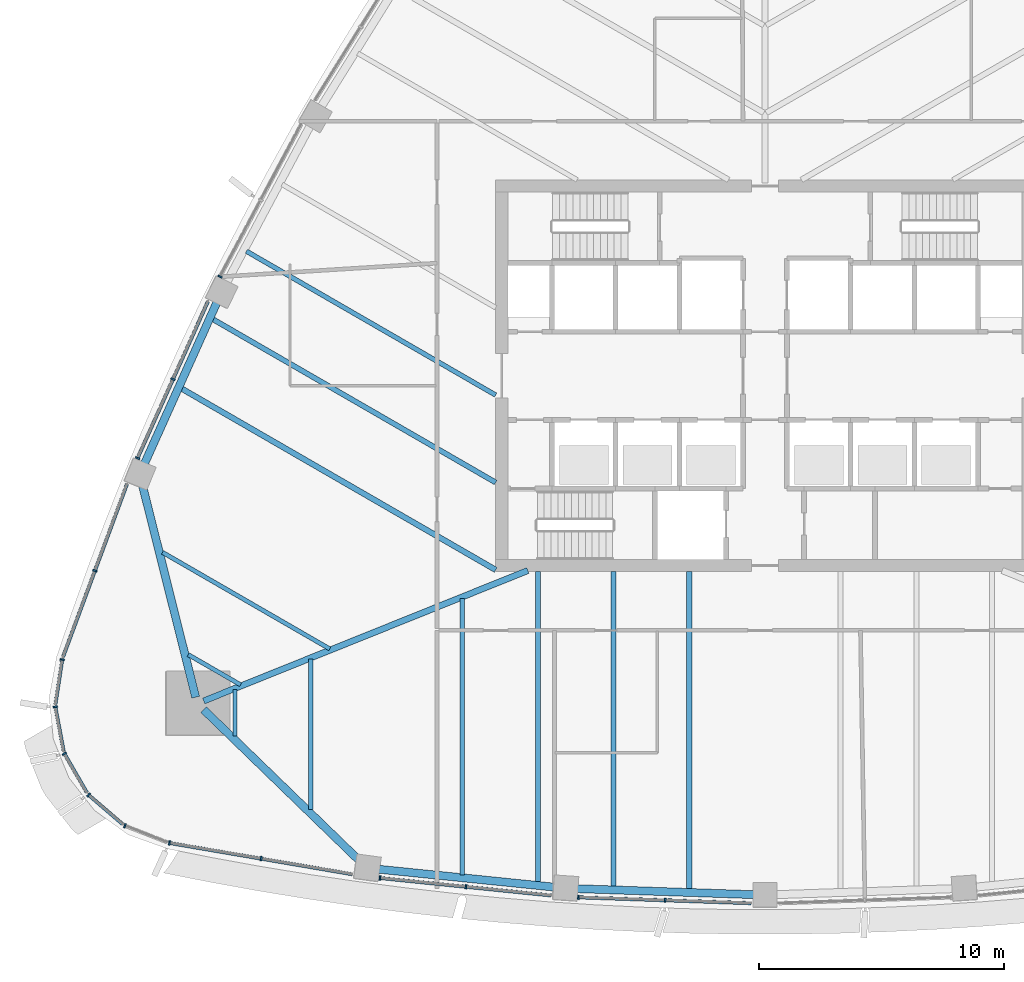
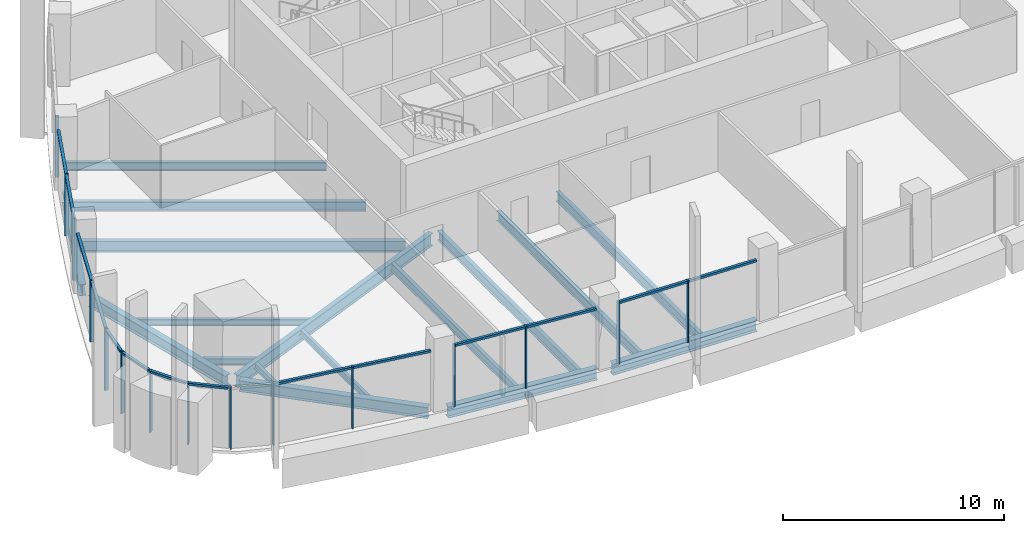
# One storey, part 2 of 19: 29 members, 17 beams, 11 elements without a shape of their own.
"""IFC4 building model written with IfcOpenShell, lengths in metres."""

from ifc_helpers import new_model, si_unit, direction, frame, origin, origin_2d, place, context, subcontext, project, spatial, rectangle, i_section, extrude, material, layer, layer_set, material_profile, profile_set, type_object, element, aggregate, save


model = new_model("IFC4")

# Units and contexts
model_context = context("Model", 3, precision=1e-05, world=origin(), true_north=direction((0.0, 1.0)))
body_context = subcontext(model_context, "Body", "Model", "MODEL_VIEW")
ifc_project = project(units=[si_unit("LENGTHUNIT", "METRE"), si_unit("AREAUNIT", "SQUARE_METRE"), si_unit("VOLUMEUNIT", "CUBIC_METRE"), si_unit("PLANEANGLEUNIT", "RADIAN"), si_unit("MASSUNIT", "GRAM", prefix="KILO")], contexts=[model_context])

# Site, building, storey
site_placement = place(None, origin())
site = spatial("IfcSite", under=ifc_project, at=site_placement, CompositionType="ELEMENT")
building_placement = place(site_placement, origin())
building = spatial("IfcBuilding", under=site, at=building_placement, Name="Sierra Prisma Convention Tower", CompositionType="ELEMENT")
storey_placement = place(building_placement, frame((0.0, 0.0, 193.800048828125)))
storey = spatial("IfcBuildingStorey", under=building, at=storey_placement, Name="L43", CompositionType="ELEMENT", Elevation=193.800048828125)

# Curtain wall, members
ifc_material_1 = material(Name="Aluminium and glass curtain wall", Category="aluminium")
ifc_layer = layer(ifc_material_1, 0.179931640625)
ifc_layer_set = layer_set([ifc_layer], Name="CW-1 Plain shaft curtain wall")
curtain_wall_type = type_object("IfcCurtainWallType", Name="CW-1 Plain shaft curtain wall", PredefinedType="NOTDEFINED", material=ifc_layer_set)
curtain_wall_1_placement = place(storey_placement, origin())
curtain_wall_1 = element("IfcCurtainWall", 1, at=curtain_wall_1_placement, inside=storey, type_object=curtain_wall_type, Name="CW-1 S1 L43", PredefinedType="NOTDEFINED")
ifc_material_2 = material(Name="Aluminium 6063-T6 bronze anodised", Category="aluminium")
ifc_material_profile_1 = material_profile(ifc_material_2, rectangle(XDim=0.179931640625, YDim=0.070068359375, at=origin_2d()), Name="ALU MULLION 70x180")
ifc_profile_set_1 = profile_set([ifc_material_profile_1], Name="Aluminium 6063-T6 bronze anodised")
member_type_1 = type_object("IfcMemberType", Name="CW mullion bronze", PredefinedType="MULLION", material=ifc_profile_set_1)
member_1_placement = place(storey_placement, frame((-24.324462890625, -19.08056640625, 0.0), z_axis=(0.0, 0.0, 1.0), x_axis=(0.168562848575, 0.985690907983, 0.0)))
member_1 = element("IfcMember", 2, at=member_1_placement, type_object=member_type_1, Name="CW-1 mullion S1.1", PredefinedType="MULLION", context=body_context, shape_type="SweptSolid", body=[
    extrude(rectangle(XDim=0.179931640625, YDim=0.070068359375, at=origin_2d()), origin(), (0.0, 0.0, 1.0), 3.39990234375),
])
member_2_placement = place(storey_placement, frame((-20.576904296875, -19.721435546875, 0.0), z_axis=(0.0, 0.0, 1.0), x_axis=(0.168562848575, 0.985690907983, 0.0)))
member_2 = element("IfcMember", 3, at=member_2_placement, type_object=member_type_1, Name="CW-1 mullion S1.2", PredefinedType="MULLION", context=body_context, shape_type="SweptSolid", body=[
    extrude(rectangle(XDim=0.179931640625, YDim=0.070068359375, at=origin_2d()), origin(), (0.0, 0.0, 1.0), 3.39990234375),
])

curtain_wall_2_placement = place(storey_placement, origin())
curtain_wall_2 = element("IfcCurtainWall", 4, at=curtain_wall_2_placement, inside=storey, type_object=curtain_wall_type, Name="CW-1 S2 L43", PredefinedType="NOTDEFINED")
member_3_placement = place(storey_placement, frame((-15.725341796875, -20.51123046875, 0.0), z_axis=(0.0, 0.0, 1.0), x_axis=(0.101448060321, 0.994840837047, 0.0)))
member_3 = element("IfcMember", 5, at=member_3_placement, type_object=member_type_1, Name="CW-1 mullion S2.1", PredefinedType="MULLION", context=body_context, shape_type="SweptSolid", body=[
    extrude(rectangle(XDim=0.179931640625, YDim=0.070068359375, at=origin_2d()), origin(), (0.0, 0.0, 1.0), 3.39990234375),
])
member_4_placement = place(storey_placement, frame((-12.213623046875, -20.869384765625, 0.0), z_axis=(0.0, 0.0, 1.0), x_axis=(0.101448060321, 0.994840837047, 0.0)))
member_4 = element("IfcMember", 6, at=member_4_placement, type_object=member_type_1, Name="CW-1 mullion S2.2", PredefinedType="MULLION", context=body_context, shape_type="SweptSolid", body=[
    extrude(rectangle(XDim=0.179931640625, YDim=0.070068359375, at=origin_2d()), origin(), (0.0, 0.0, 1.0), 3.39990234375),
])

curtain_wall_3_placement = place(storey_placement, origin())
curtain_wall_3 = element("IfcCurtainWall", 7, at=curtain_wall_3_placement, inside=storey, type_object=curtain_wall_type, Name="CW-1 S3 L43", PredefinedType="NOTDEFINED")
member_5_placement = place(storey_placement, frame((-7.62255859375, -21.30029296875, 0.0), z_axis=(0.0, 0.0, 1.0), x_axis=(0.033867816597, 0.999426320946, 0.0)))
member_5 = element("IfcMember", 8, at=member_5_placement, type_object=member_type_1, Name="CW-1 mullion S3.1", PredefinedType="MULLION", context=body_context, shape_type="SweptSolid", body=[
    extrude(rectangle(XDim=0.179931640625, YDim=0.070068359375, at=origin_2d()), origin(), (0.0, 0.0, 1.0), 3.39990234375),
])
member_6_placement = place(storey_placement, frame((-4.07861328125, -21.42041015625, 0.0), z_axis=(0.0, 0.0, 1.0), x_axis=(0.033867816597, 0.999426320946, 0.0)))
member_6 = element("IfcMember", 9, at=member_6_placement, type_object=member_type_1, Name="CW-1 mullion S3.2", PredefinedType="MULLION", context=body_context, shape_type="SweptSolid", body=[
    extrude(rectangle(XDim=0.179931640625, YDim=0.070068359375, at=origin_2d()), origin(), (0.0, 0.0, 1.0), 3.39990234375),
])

# Curtain wall, member
curtain_wall_4_placement = place(storey_placement, origin())
curtain_wall_4 = element("IfcCurtainWall", 10, at=curtain_wall_4_placement, inside=storey, type_object=curtain_wall_type, Name="CW-1 NW4 L43", PredefinedType="NOTDEFINED")
member_7_placement = place(storey_placement, frame((-22.2578125, 4.048828125, 0.0), z_axis=(0.0, 0.0, 1.0), x_axis=(0.882462491448, -0.470382770929, 0.0)))
member_7 = element("IfcMember", 11, at=member_7_placement, type_object=member_type_1, Name="CW-1 mullion NW4.3", PredefinedType="MULLION", context=body_context, shape_type="SweptSolid", body=[
    extrude(rectangle(XDim=0.179931640625, YDim=0.070068359375, at=origin_2d()), origin(), (0.0, 0.0, 1.0), 3.39990234375),
])
aggregate(curtain_wall_4, [member_7])

# Curtain wall, members
curtain_wall_5_placement = place(storey_placement, origin())
curtain_wall_5 = element("IfcCurtainWall", 12, at=curtain_wall_5_placement, inside=storey, type_object=curtain_wall_type, Name="CW-1 NW5 L43", PredefinedType="NOTDEFINED")
member_8_placement = place(storey_placement, frame((-24.18017578125, -0.142578125, 0.0), z_axis=(0.0, 0.0, 1.0), x_axis=(0.912281467766, -0.409563821121, 0.0)))
member_8 = element("IfcMember", 13, at=member_8_placement, type_object=member_type_1, Name="CW-1 mullion NW5.2", PredefinedType="MULLION", context=body_context, shape_type="SweptSolid", body=[
    extrude(rectangle(XDim=0.179931640625, YDim=0.070068359375, at=origin_2d()), origin(), (0.0, 0.0, 1.0), 3.39990234375),
])
member_9_placement = place(storey_placement, frame((-25.6259765625, -3.36279296875, 0.0), z_axis=(0.0, 0.0, 1.0), x_axis=(0.912281467766, -0.409563821121, 0.0)))
member_9 = element("IfcMember", 14, at=member_9_placement, type_object=member_type_1, Name="CW-1 mullion NW5.3", PredefinedType="MULLION", context=body_context, shape_type="SweptSolid", body=[
    extrude(rectangle(XDim=0.179931640625, YDim=0.070068359375, at=origin_2d()), origin(), (0.0, 0.0, 1.0), 3.39990234375),
])

# Curtain wall, member
curtain_wall_6_placement = place(storey_placement, origin())
curtain_wall_6 = element("IfcCurtainWall", 15, at=curtain_wall_6_placement, inside=storey, type_object=curtain_wall_type, Name="CW-1 NW6 L43", PredefinedType="NOTDEFINED")
member_10_placement = place(storey_placement, frame((-27.36767578125, -7.95947265625, 0.0), z_axis=(0.0, 0.0, 1.0), x_axis=(0.93791479088, -0.346865744991, 0.0)))
member_10 = element("IfcMember", 16, at=member_10_placement, type_object=member_type_1, Name="CW-1 mullion NW6.2", PredefinedType="MULLION", context=body_context, shape_type="SweptSolid", body=[
    extrude(rectangle(XDim=0.179931640625, YDim=0.070068359375, at=origin_2d()), origin(), (0.0, 0.0, 1.0), 3.39990234375),
])

curtain_wall_7_placement = place(storey_placement, origin())
curtain_wall_7 = element("IfcCurtainWall", 17, at=curtain_wall_7_placement, inside=storey, type_object=curtain_wall_type, Name="CW-1 SW1 L43", PredefinedType="NOTDEFINED")
member_11_placement = place(storey_placement, frame((-28.703857421875, -11.5927734375, 0.0), z_axis=(0.0, 0.0, 1.0), x_axis=(0.988536351042, -0.150983054244, 0.0)))
member_11 = element("IfcMember", 18, at=member_11_placement, type_object=member_type_1, Name="CW-1 mullion SW1.1", PredefinedType="MULLION", context=body_context, shape_type="SweptSolid", body=[
    extrude(rectangle(XDim=0.179931640625, YDim=0.070068359375, at=origin_2d()), origin(), (0.0, 0.0, 1.0), 3.39990234375),
])

curtain_wall_8_placement = place(storey_placement, origin())
curtain_wall_8 = element("IfcCurtainWall", 19, at=curtain_wall_8_placement, inside=storey, type_object=curtain_wall_type, Name="CW-1 SW2 L43", PredefinedType="NOTDEFINED")
member_12_placement = place(storey_placement, frame((-28.98681640625, -13.521484375, 0.0), z_axis=(0.0, 0.0, 1.0), x_axis=(0.982748472317, 0.184947128009, 0.0)))
member_12 = element("IfcMember", 20, at=member_12_placement, type_object=member_type_1, Name="CW-1 mullion SW2.1", PredefinedType="MULLION", context=body_context, shape_type="SweptSolid", body=[
    extrude(rectangle(XDim=0.179931640625, YDim=0.070068359375, at=origin_2d()), origin(), (0.0, 0.0, 1.0), 3.39990234375),
])

curtain_wall_9_placement = place(storey_placement, origin())
curtain_wall_9 = element("IfcCurtainWall", 21, at=curtain_wall_9_placement, inside=storey, type_object=curtain_wall_type, Name="CW-1 SW3 L43", PredefinedType="NOTDEFINED")
member_13_placement = place(storey_placement, frame((-28.61474609375, -15.434814453125, 0.0), z_axis=(0.0, 0.0, 1.0), x_axis=(0.866025403784, 0.5, 0.0)))
member_13 = element("IfcMember", 22, at=member_13_placement, type_object=member_type_1, Name="CW-1 mullion SW3.1", PredefinedType="MULLION", context=body_context, shape_type="SweptSolid", body=[
    extrude(rectangle(XDim=0.179931640625, YDim=0.070068359375, at=origin_2d()), origin(), (0.0, 0.0, 1.0), 3.39990234375),
])

curtain_wall_10_placement = place(storey_placement, origin())
curtain_wall_10 = element("IfcCurtainWall", 23, at=curtain_wall_10_placement, inside=storey, type_object=curtain_wall_type, Name="CW-1 SW4 L43", PredefinedType="NOTDEFINED")
member_14_placement = place(storey_placement, frame((-27.630126953125, -17.116943359375, 0.0), z_axis=(0.0, 0.0, 1.0), x_axis=(0.651543147372, 0.758611578552, 0.0)))
member_14 = element("IfcMember", 24, at=member_14_placement, type_object=member_type_1, Name="CW-1 mullion SW4.1", PredefinedType="MULLION", context=body_context, shape_type="SweptSolid", body=[
    extrude(rectangle(XDim=0.179931640625, YDim=0.070068359375, at=origin_2d()), origin(), (0.0, 0.0, 1.0), 3.39990234375),
])

curtain_wall_11_placement = place(storey_placement, origin())
curtain_wall_11 = element("IfcCurtainWall", 25, at=curtain_wall_11_placement, inside=storey, type_object=curtain_wall_type, Name="CW-1 SW5 L43", PredefinedType="NOTDEFINED")
member_15_placement = place(storey_placement, frame((-26.14404296875, -18.378173828125, 0.0), z_axis=(0.0, 0.0, 1.0), x_axis=(0.363513015005, 0.931589119688, 0.0)))
member_15 = element("IfcMember", 26, at=member_15_placement, type_object=member_type_1, Name="CW-1 mullion SW5.1", PredefinedType="MULLION", context=body_context, shape_type="SweptSolid", body=[
    extrude(rectangle(XDim=0.179931640625, YDim=0.070068359375, at=origin_2d()), origin(), (0.0, 0.0, 1.0), 3.39990234375),
])
aggregate(curtain_wall_11, [member_15])

# Member
ifc_material_3 = material(Name="Aluminium 6063-T6 bronze anodised", Category="aluminium")
ifc_material_profile_2 = material_profile(ifc_material_3, rectangle(XDim=0.139892578125, YDim=0.1201171875, at=origin_2d()), Name="ALU TRANSOM 120x140")
ifc_profile_set_2 = profile_set([ifc_material_profile_2], Name="Aluminium 6063-T6 bronze anodised")
member_type_2 = type_object("IfcMemberType", Name="CW transom bronze", PredefinedType="USERDEFINED", material=ifc_profile_set_2)
member_16_placement = place(storey_placement, frame((-24.2900390625, -19.08642578125, 3.33984375), z_axis=(0.985688476849, -0.168577064298, 0.0), x_axis=(0.168577064298, 0.985688476849, 0.0)))
member_16 = element("IfcMember", 27, at=member_16_placement, type_object=member_type_2, Name="CW-1 transom S1.1", ObjectType="TRANSOM", PredefinedType="USERDEFINED", context=body_context, shape_type="SweptSolid", body=[
    extrude(rectangle(XDim=0.139892578125, YDim=0.1201171875, at=origin_2d()), origin(), (0.0, 0.0, 1.0), 3.732177734375),
])

member_17_placement = place(storey_placement, frame((-20.542236328125, -19.727294921875, 3.33984375), z_axis=(0.985688476849, -0.168577064298, 0.0), x_axis=(0.168577064298, 0.985688476849, 0.0)))
member_17 = element("IfcMember", 28, at=member_17_placement, type_object=member_type_2, Name="CW-1 transom S1.2", ObjectType="TRANSOM", PredefinedType="USERDEFINED", context=body_context, shape_type="SweptSolid", body=[
    extrude(rectangle(XDim=0.139892578125, YDim=0.1201171875, at=origin_2d()), origin(), (0.0, 0.0, 1.0), 3.732177734375),
])

aggregate(curtain_wall_1, [member_1, member_2, member_16, member_17])

member_18_placement = place(storey_placement, frame((-15.6904296875, -20.514892578125, 3.33984375), z_axis=(0.994846060729, -0.101396821708, 0.0), x_axis=(0.101396821708, 0.994846060729, 0.0)))
member_18 = element("IfcMember", 29, at=member_18_placement, type_object=member_type_2, Name="CW-1 transom S2.1", ObjectType="TRANSOM", PredefinedType="USERDEFINED", context=body_context, shape_type="SweptSolid", body=[
    extrude(rectangle(XDim=0.139892578125, YDim=0.1201171875, at=origin_2d()), origin(), (0.0, 0.0, 1.0), 3.4599609375),
])

member_19_placement = place(storey_placement, frame((-12.1787109375, -20.872802734375, 3.33984375), z_axis=(0.994838940495, -0.101466656957, 0.0), x_axis=(0.101466656957, 0.994838940495, 0.0)))
member_19 = element("IfcMember", 30, at=member_19_placement, type_object=member_type_2, Name="CW-1 transom S2.2", ObjectType="TRANSOM", PredefinedType="USERDEFINED", context=body_context, shape_type="SweptSolid", body=[
    extrude(rectangle(XDim=0.139892578125, YDim=0.1201171875, at=origin_2d()), origin(), (0.0, 0.0, 1.0), 3.4599609375),
])

aggregate(curtain_wall_2, [member_3, member_4, member_18, member_19])

member_20_placement = place(storey_placement, frame((-7.587646484375, -21.301513671875, 3.33984375), z_axis=(0.999426833537, -0.033852686842, 0.0), x_axis=(0.033852686842, 0.999426833537, 0.0)))
member_20 = element("IfcMember", 31, at=member_20_placement, type_object=member_type_2, Name="CW-1 transom S3.1", ObjectType="TRANSOM", PredefinedType="USERDEFINED", context=body_context, shape_type="SweptSolid", body=[
    extrude(rectangle(XDim=0.139892578125, YDim=0.1201171875, at=origin_2d()), origin(), (0.0, 0.0, 1.0), 3.47607421875),
])

member_21_placement = place(storey_placement, frame((-4.043701171875, -21.421630859375, 3.33984375), z_axis=(0.999426833537, -0.033852686842, 0.0), x_axis=(0.033852686842, 0.999426833537, 0.0)))
member_21 = element("IfcMember", 32, at=member_21_placement, type_object=member_type_2, Name="CW-1 transom S3.2", ObjectType="TRANSOM", PredefinedType="USERDEFINED", context=body_context, shape_type="SweptSolid", body=[
    extrude(rectangle(XDim=0.139892578125, YDim=0.1201171875, at=origin_2d()), origin(), (0.0, 0.0, 1.0), 3.47607421875),
])

aggregate(curtain_wall_3, [member_5, member_6, member_20, member_21])

member_22_placement = place(storey_placement, frame((-22.748779296875, 3.045654296875, 3.33984375), z_axis=(-0.409566432186, -0.912280295538, 0.0), x_axis=(0.912280295538, -0.409566432186, 0.0)))
member_22 = element("IfcMember", 33, at=member_22_placement, type_object=member_type_2, Name="CW-1 transom NW5.1", ObjectType="TRANSOM", PredefinedType="USERDEFINED", context=body_context, shape_type="SweptSolid", body=[
    extrude(rectangle(XDim=0.139892578125, YDim=0.1201171875, at=origin_2d()), origin(), (0.0, 0.0, 1.0), 3.459716796875),
])

member_23_placement = place(storey_placement, frame((-24.194580078125, -0.174560546875, 3.33984375), z_axis=(-0.409566432186, -0.912280295538, 0.0), x_axis=(0.912280295538, -0.409566432186, 0.0)))
member_23 = element("IfcMember", 34, at=member_23_placement, type_object=member_type_2, Name="CW-1 transom NW5.2", ObjectType="TRANSOM", PredefinedType="USERDEFINED", context=body_context, shape_type="SweptSolid", body=[
    extrude(rectangle(XDim=0.139892578125, YDim=0.1201171875, at=origin_2d()), origin(), (0.0, 0.0, 1.0), 3.459716796875),
])

aggregate(curtain_wall_5, [member_8, member_9, member_22, member_23])

member_24_placement = place(storey_placement, frame((-26.06103515625, -4.426025390625, 3.33984375), z_axis=(-0.346832808011, -0.937926971191, 0.0), x_axis=(0.937926971191, -0.346832808011, 0.0)))
member_24 = element("IfcMember", 35, at=member_24_placement, type_object=member_type_2, Name="CW-1 transom NW6.1", ObjectType="TRANSOM", PredefinedType="USERDEFINED", context=body_context, shape_type="SweptSolid", body=[
    extrude(rectangle(XDim=0.139892578125, YDim=0.1201171875, at=origin_2d()), origin(), (0.0, 0.0, 1.0), 3.732177734375),
])

member_25_placement = place(storey_placement, frame((-27.3798828125, -7.9921875, 3.33984375), z_axis=(-0.346832808011, -0.937926971191, 0.0), x_axis=(0.937926971191, -0.346832808011, 0.0)))
member_25 = element("IfcMember", 36, at=member_25_placement, type_object=member_type_2, Name="CW-1 transom NW6.2", ObjectType="TRANSOM", PredefinedType="USERDEFINED", context=body_context, shape_type="SweptSolid", body=[
    extrude(rectangle(XDim=0.139892578125, YDim=0.1201171875, at=origin_2d()), origin(), (0.0, 0.0, 1.0), 3.732177734375),
])

aggregate(curtain_wall_6, [member_10, member_24, member_25])

member_26_placement = place(storey_placement, frame((-28.709228515625, -11.62744140625, 3.33984375), z_axis=(-0.150983317621, -0.988536310815, 0.0), x_axis=(0.988536310815, -0.150983317621, 0.0)))
member_26 = element("IfcMember", 37, at=member_26_placement, type_object=member_type_2, Name="CW-1 transom SW1.1", ObjectType="TRANSOM", PredefinedType="USERDEFINED", context=body_context, shape_type="SweptSolid", body=[
    extrude(rectangle(XDim=0.139892578125, YDim=0.1201171875, at=origin_2d()), origin(), (0.0, 0.0, 1.0), 1.81103515625),
])

aggregate(curtain_wall_7, [member_11, member_26])

member_27_placement = place(storey_placement, frame((-28.980224609375, -13.555908203125, 3.33984375), z_axis=(0.18495591696, -0.98274681825, 0.0), x_axis=(0.98274681825, 0.18495591696, 0.0)))
member_27 = element("IfcMember", 38, at=member_27_placement, type_object=member_type_2, Name="CW-1 transom SW2.1", ObjectType="TRANSOM", PredefinedType="USERDEFINED", context=body_context, shape_type="SweptSolid", body=[
    extrude(rectangle(XDim=0.139892578125, YDim=0.1201171875, at=origin_2d()), origin(), (0.0, 0.0, 1.0), 1.81103515625),
])

aggregate(curtain_wall_8, [member_12, member_27])

member_28_placement = place(storey_placement, frame((-28.597412109375, -15.465087890625, 3.33984375), z_axis=(0.500010299859, -0.866019457076, 0.0), x_axis=(0.866019457076, 0.500010299859, 0.0)))
member_28 = element("IfcMember", 39, at=member_28_placement, type_object=member_type_2, Name="CW-1 transom SW3.1", ObjectType="TRANSOM", PredefinedType="USERDEFINED", context=body_context, shape_type="SweptSolid", body=[
    extrude(rectangle(XDim=0.139892578125, YDim=0.1201171875, at=origin_2d()), origin(), (0.0, 0.0, 1.0), 1.81103515625),
])

aggregate(curtain_wall_9, [member_13, member_28])

member_29_placement = place(storey_placement, frame((-27.603759765625, -17.1396484375, 3.33984375), z_axis=(0.758590190554, -0.651568049243, 0.0), x_axis=(0.651568049243, 0.758590190554, 0.0)))
member_29 = element("IfcMember", 40, at=member_29_placement, type_object=member_type_2, Name="CW-1 transom SW4.1", ObjectType="TRANSOM", PredefinedType="USERDEFINED", context=body_context, shape_type="SweptSolid", body=[
    extrude(rectangle(XDim=0.139892578125, YDim=0.1201171875, at=origin_2d()), origin(), (0.0, 0.0, 1.0), 1.811279296875),
])

aggregate(curtain_wall_10, [member_14, member_29])

# Beams
ifc_material_4 = material(Name="Steel ASTM A992 Gr 50", Category="steel")
ifc_material_profile_3 = material_profile(ifc_material_4, i_section(OverallWidth=0.172119140625, OverallDepth=0.35791015625, WebThickness=0.0078125, FlangeThickness=0.01318359375, at=origin_2d()), Name="W360x57")
ifc_profile_set_3 = profile_set([ifc_material_profile_3], Name="Steel ASTM A992 Gr 50")
beam_type_1 = type_object("IfcBeamType", Name="Floor joist W360x57", PredefinedType="JOIST", material=ifc_profile_set_3)
beam_1_placement = place(storey_placement, frame((-21.64111328125, -14.708740234375, -0.3291015625), z_axis=(0.0, 1.0, 0.0), x_axis=(-1.0, 0.0, 0.0)))
element("IfcBeam", 41, at=beam_1_placement, inside=storey, type_object=beam_type_1, Name="Floor joist L43 S01", PredefinedType="JOIST", context=body_context, shape_type="SweptSolid", body=[
    extrude(i_section(OverallWidth=0.172119140625, OverallDepth=0.35791015625, WebThickness=0.0078125, FlangeThickness=0.01318359375, at=origin_2d()), origin(), (0.0, 0.0, 1.0), 1.88916015625),
])
beam_2_placement = place(storey_placement, frame((-18.549560546875, -17.705078125, -0.3291015625), z_axis=(0.0, 1.0, 0.0), x_axis=(-1.0, 0.0, 0.0)))
element("IfcBeam", 42, at=beam_2_placement, inside=storey, type_object=beam_type_1, Name="Floor joist L43 S02", PredefinedType="JOIST", context=body_context, shape_type="SweptSolid", body=[
    extrude(i_section(OverallWidth=0.172119140625, OverallDepth=0.35791015625, WebThickness=0.0078125, FlangeThickness=0.01318359375, at=origin_2d()), origin(), (0.0, 0.0, 1.0), 6.12939453125),
])
beam_3_placement = place(storey_placement, frame((-24.607666015625, -7.2119140625, -0.3291015625), z_axis=(0.866032487446, -0.499987730537, 0.0), x_axis=(0.499987730537, 0.866032487446, 0.0)))
element("IfcBeam", 43, at=beam_3_placement, inside=storey, type_object=beam_type_1, Name="Floor joist L43 NW14", PredefinedType="JOIST", context=body_context, shape_type="SweptSolid", body=[
    extrude(i_section(OverallWidth=0.172119140625, OverallDepth=0.35791015625, WebThickness=0.0078125, FlangeThickness=0.01318359375, at=origin_2d()), origin(), (0.0, 0.0, 1.0), 7.886962890625),
])
beam_4_placement = place(storey_placement, frame((-23.558837890625, -11.387451171875, -0.3291015625), z_axis=(0.866062072556, -0.499936482445, 0.0), x_axis=(0.499936482445, 0.866062072556, 0.0)))
element("IfcBeam", 44, at=beam_4_placement, inside=storey, type_object=beam_type_1, Name="Floor joist L43 NW15", PredefinedType="JOIST", context=body_context, shape_type="SweptSolid", body=[
    extrude(i_section(OverallWidth=0.172119140625, OverallDepth=0.35791015625, WebThickness=0.0078125, FlangeThickness=0.01318359375, at=origin_2d()), origin(), (0.0, 0.0, 1.0), 2.468505859375),
])
ifc_material_5 = material(Name="Steel ASTM A992 Gr 50", Category="steel")
ifc_material_profile_4 = material_profile(ifc_material_5, i_section(OverallWidth=0.18994140625, OverallDepth=0.45703125, WebThickness=0.009033203125, FlangeThickness=0.014404296875, at=origin_2d()), Name="W460x74")
ifc_profile_set_4 = profile_set([ifc_material_profile_4], Name="Steel ASTM A992 Gr 50")
beam_type_2 = type_object("IfcBeamType", Name="Floor joist W460x74", PredefinedType="JOIST", material=ifc_profile_set_4)
beam_5_placement = place(storey_placement, frame((-12.366455078125, -20.388916015625, -0.378662109375), z_axis=(0.0, 1.0, 0.0), x_axis=(-1.0, 0.0, 0.0)))
element("IfcBeam", 45, at=beam_5_placement, inside=storey, type_object=beam_type_2, Name="Floor joist L43 S04", PredefinedType="JOIST", context=body_context, shape_type="SweptSolid", body=[
    extrude(i_section(OverallWidth=0.18994140625, OverallDepth=0.45703125, WebThickness=0.009033203125, FlangeThickness=0.014404296875, at=origin_2d()), origin(), (0.0, 0.0, 1.0), 11.301513671875),
])
beam_6_placement = place(storey_placement, frame((-21.179931640625, 5.08837890625, -0.378662109375), z_axis=(0.866032366257, -0.499987940449, 0.0), x_axis=(0.499987940449, 0.866032366257, 0.0)))
element("IfcBeam", 46, at=beam_6_placement, inside=storey, type_object=beam_type_2, Name="Floor joist L43 NW10", PredefinedType="JOIST", context=body_context, shape_type="SweptSolid", body=[
    extrude(i_section(OverallWidth=0.18994140625, OverallDepth=0.45703125, WebThickness=0.009033203125, FlangeThickness=0.014404296875, at=origin_2d()), origin(), (0.0, 0.0, 1.0), 11.754638671875),
])
ifc_material_6 = material(Name="Steel ASTM A992 Gr 50", Category="steel")
ifc_material_profile_5 = material_profile(ifc_material_6, i_section(OverallWidth=0.208984375, OverallDepth=0.532958984375, WebThickness=0.01025390625, FlangeThickness=0.015625, at=origin_2d()), Name="W530x92")
ifc_profile_set_5 = profile_set([ifc_material_profile_5], Name="Steel ASTM A992 Gr 50")
beam_type_3 = type_object("IfcBeamType", Name="Floor joist W530x92", PredefinedType="JOIST", material=ifc_profile_set_5)
beam_7_placement = place(storey_placement, frame((-9.274658203125, -20.7041015625, -0.41650390625), z_axis=(0.0, 1.0, 0.0), x_axis=(-1.0, 0.0, 0.0)))
element("IfcBeam", 47, at=beam_7_placement, inside=storey, type_object=beam_type_3, Name="Floor joist L43 S05", PredefinedType="JOIST", context=body_context, shape_type="SweptSolid", body=[
    extrude(i_section(OverallWidth=0.208984375, OverallDepth=0.532958984375, WebThickness=0.01025390625, FlangeThickness=0.015625, at=origin_2d()), origin(), (0.0, 0.0, 1.0), 12.7041015625),
])
beam_8_placement = place(storey_placement, frame((-6.18310546875, -20.886474609375, -0.41650390625), z_axis=(0.0, 1.0, 0.0), x_axis=(-1.0, 0.0, 0.0)))
element("IfcBeam", 48, at=beam_8_placement, inside=storey, type_object=beam_type_3, Name="Floor joist L43 S06", PredefinedType="JOIST", context=body_context, shape_type="SweptSolid", body=[
    extrude(i_section(OverallWidth=0.208984375, OverallDepth=0.532958984375, WebThickness=0.01025390625, FlangeThickness=0.015625, at=origin_2d()), origin(), (0.0, 0.0, 1.0), 12.886474609375),
])
beam_9_placement = place(storey_placement, frame((-3.091552734375, -20.9912109375, -0.41650390625), z_axis=(0.0, 1.0, 0.0), x_axis=(-1.0, 0.0, 0.0)))
element("IfcBeam", 49, at=beam_9_placement, inside=storey, type_object=beam_type_3, Name="Floor joist L43 S07", PredefinedType="JOIST", context=body_context, shape_type="SweptSolid", body=[
    extrude(i_section(OverallWidth=0.208984375, OverallDepth=0.532958984375, WebThickness=0.01025390625, FlangeThickness=0.015625, at=origin_2d()), origin(), (0.0, 0.0, 1.0), 12.9912109375),
])
beam_10_placement = place(storey_placement, frame((-22.567626953125, 2.31982421875, -0.41650390625), z_axis=(0.866028831611, -0.499994062783, 0.0), x_axis=(0.499994062783, 0.866028831611, 0.0)))
element("IfcBeam", 50, at=beam_10_placement, inside=storey, type_object=beam_type_3, Name="Floor joist L43 NW11", PredefinedType="JOIST", context=body_context, shape_type="SweptSolid", body=[
    extrude(i_section(OverallWidth=0.208984375, OverallDepth=0.532958984375, WebThickness=0.01025390625, FlangeThickness=0.015625, at=origin_2d()), origin(), (0.0, 0.0, 1.0), 13.357177734375),
])
ifc_material_7 = material(Name="Steel ASTM A992 Gr 50", Category="steel")
ifc_material_profile_6 = material_profile(ifc_material_7, i_section(OverallWidth=0.22802734375, OverallDepth=0.60302734375, WebThickness=0.010498046875, FlangeThickness=0.014892578125, at=origin_2d()), Name="W610x101")
ifc_profile_set_6 = profile_set([ifc_material_profile_6], Name="Steel ASTM A992 Gr 50")
beam_type_4 = type_object("IfcBeamType", Name="Floor joist W610x101", PredefinedType="JOIST", material=ifc_profile_set_6)
beam_11_placement = place(storey_placement, frame((-23.84033203125, -0.51513671875, -0.45166015625), z_axis=(0.86602654501, -0.499998023334, 0.0), x_axis=(0.499998023334, 0.86602654501, 0.0)))
element("IfcBeam", 51, at=beam_11_placement, inside=storey, type_object=beam_type_4, Name="Floor joist L43 NW12", PredefinedType="JOIST", context=body_context, shape_type="SweptSolid", body=[
    extrude(i_section(OverallWidth=0.22802734375, OverallDepth=0.60302734375, WebThickness=0.010498046875, FlangeThickness=0.014892578125, at=origin_2d()), origin(), (0.0, 0.0, 1.0), 14.82666015625),
])
ifc_material_8 = material(Name="Steel ASTM A992 Gr 50", Category="steel")
ifc_material_profile_7 = material_profile(ifc_material_8, i_section(OverallWidth=0.25390625, OverallDepth=0.68408203125, WebThickness=0.012451171875, FlangeThickness=0.018798828125, at=origin_2d()), Name="W690x140")
ifc_profile_set_7 = profile_set([ifc_material_profile_7], Name="Steel ASTM A992 Gr 50")
beam_type_5 = type_object("IfcBeamType", Name="Radial girder W690x140", PredefinedType="BEAM", material=ifc_profile_set_7)
beam_12_placement = place(storey_placement, frame((-22.927001953125, -13.2822265625, -0.491943359375), z_axis=(0.927711319817, 0.373298415592, 0.0), x_axis=(-0.373298415592, 0.927711319817, 0.0)))
element("IfcBeam", 52, at=beam_12_placement, inside=storey, type_object=beam_type_5, Name="Radial girder L43 SW", PredefinedType="BEAM", context=body_context, shape_type="SweptSolid", body=[
    extrude(i_section(OverallWidth=0.25390625, OverallDepth=0.68408203125, WebThickness=0.012451171875, FlangeThickness=0.018798828125, at=origin_2d()), origin(), (0.0, 0.0, 1.0), 14.269775390625),
])
ifc_material_9 = material(Name="Steel ASTM A992 Gr 50", Category="steel")
ifc_material_profile_8 = material_profile(ifc_material_9, i_section(OverallWidth=0.324951171875, OverallDepth=0.615966796875, WebThickness=0.013916015625, FlangeThickness=0.021484375, at=origin_2d()), Name="W610x174")
ifc_profile_set_8 = profile_set([ifc_material_profile_8], Name="Steel ASTM A992 Gr 50")
beam_type_6 = type_object("IfcBeamType", Name="Spandrel beam W610x174", PredefinedType="BEAM", material=ifc_profile_set_8)
beam_13_placement = place(storey_placement, frame((-22.927001953125, -13.638916015625, -0.4580078125), z_axis=(0.718086677732, -0.695953678964, 0.0), x_axis=(0.695953678964, 0.718086677732, 0.0)))
element("IfcBeam", 53, at=beam_13_placement, inside=storey, type_object=beam_type_6, Name="Spandrel L43-01", PredefinedType="BEAM", context=body_context, shape_type="SweptSolid", body=[
    extrude(i_section(OverallWidth=0.324951171875, OverallDepth=0.615966796875, WebThickness=0.013916015625, FlangeThickness=0.021484375, at=origin_2d()), origin(), (0.0, 0.0, 1.0), 8.79150390625),
])
beam_14_placement = place(storey_placement, frame((-15.876220703125, -20.144287109375, -0.4580078125), z_axis=(0.994840336595, -0.101452967845, 0.0), x_axis=(0.101452967845, 0.994840336595, 0.0)))
element("IfcBeam", 54, at=beam_14_placement, inside=storey, type_object=beam_type_6, Name="Spandrel L43-02", PredefinedType="BEAM", context=body_context, shape_type="SweptSolid", body=[
    extrude(i_section(OverallWidth=0.324951171875, OverallDepth=0.615966796875, WebThickness=0.013916015625, FlangeThickness=0.021484375, at=origin_2d()), origin(), (0.0, 0.0, 1.0), 7.39013671875),
])
for number, where, z_axis, x_axis, name in (
    (55, (-7.765869140625, -20.9453125, -0.4580078125), (0.999425378218, -0.033895624688, 0.0), (0.033895624688, 0.999425378218, 0.0), "Spandrel L43-03"),
    (56, (-22.35693359375, 3.064697265625, -0.4580078125), (-0.409559541358, -0.91228338913, 0.0), (0.91228338913, -0.409559541358, 0.0), "Spandrel L43-17"),
):
    element("IfcBeam", number, at=place(storey_placement, frame(where, z_axis=z_axis, x_axis=x_axis)), inside=storey, type_object=beam_type_6, Name=name, PredefinedType="BEAM", context=body_context, shape_type="SweptSolid", body=[
        extrude(i_section(OverallWidth=0.324951171875, OverallDepth=0.615966796875, WebThickness=0.013916015625, FlangeThickness=0.021484375, at=origin_2d()), origin(), (0.0, 0.0, 1.0), 7.389892578125),
    ])
beam_15_placement = place(storey_placement, frame((-25.417236328125, -4.509521484375, -0.4580078125), z_axis=(0.243666869855, -0.969858987964, 0.0), x_axis=(0.969858987964, 0.243666869855, 0.0)))
element("IfcBeam", 57, at=beam_15_placement, inside=storey, type_object=beam_type_6, Name="Spandrel L43-18", PredefinedType="BEAM", context=body_context, shape_type="SweptSolid", body=[
    extrude(i_section(OverallWidth=0.324951171875, OverallDepth=0.615966796875, WebThickness=0.013916015625, FlangeThickness=0.021484375, at=origin_2d()), origin(), (0.0, 0.0, 1.0), 8.88525390625),
])

save(model, "model.ifc")
